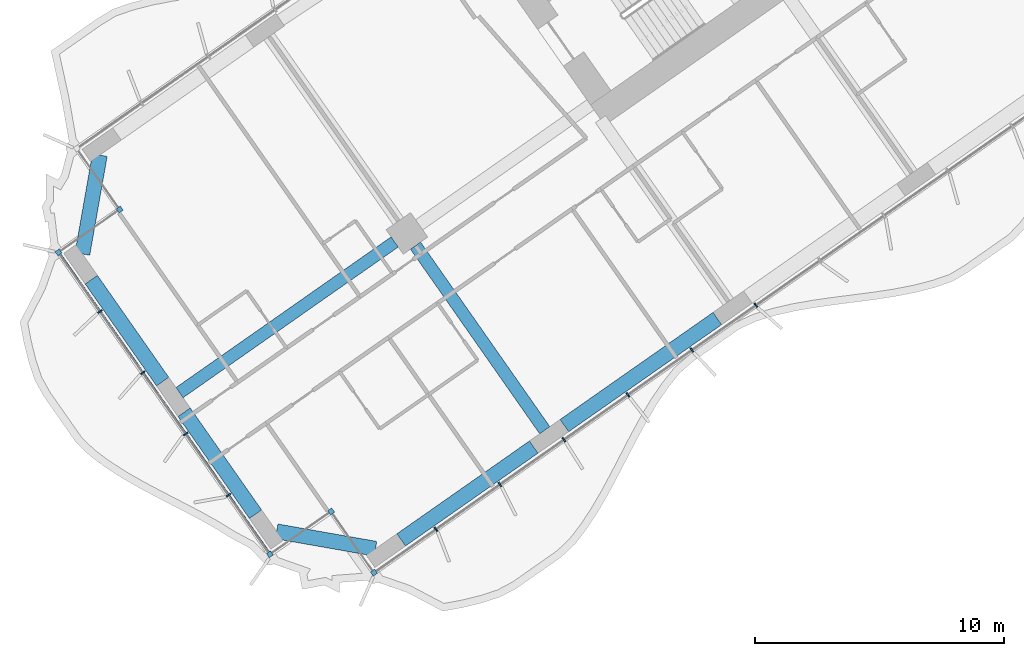
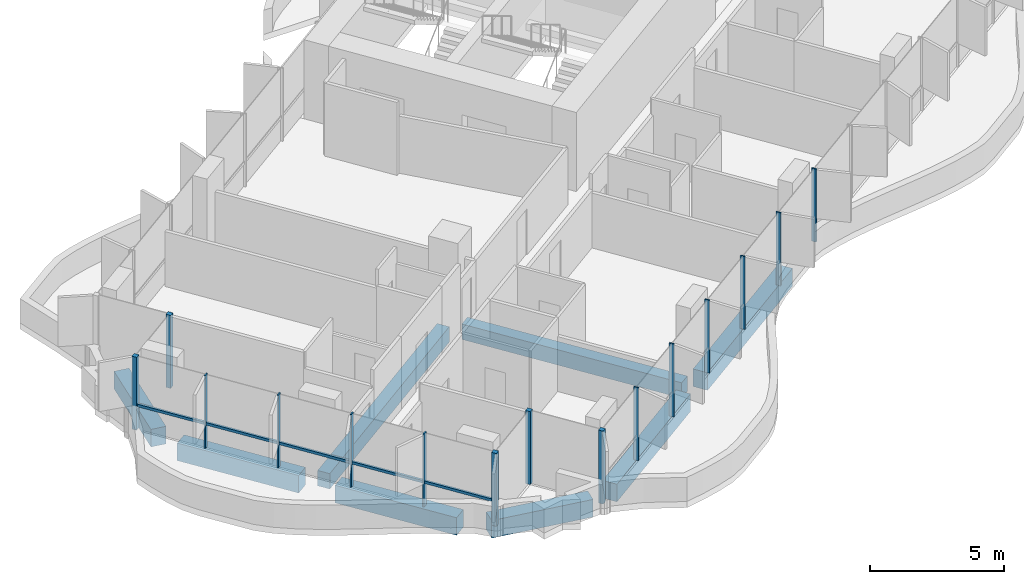
# One storey, part 2 of 24: 16 members, 8 beams, 1 element without a shape of its own.
"""IFC4 building model written with IfcOpenShell, lengths in metres."""

from ifc_helpers import new_model, si_unit, direction, frame, origin, origin_2d, place, context, subcontext, project, spatial, rectangle, extrude, material, material_profile, profile_set, type_object, element, aggregate, save


model = new_model("IFC4")

# Units and contexts
model_context = context("Model", 3, precision=1e-05, world=origin(), true_north=direction((0.0, 1.0)))
body_context = subcontext(model_context, "Body", "Model", "MODEL_VIEW")
ifc_project = project(units=[si_unit("LENGTHUNIT", "METRE"), si_unit("AREAUNIT", "SQUARE_METRE"), si_unit("VOLUMEUNIT", "CUBIC_METRE"), si_unit("PLANEANGLEUNIT", "RADIAN"), si_unit("MASSUNIT", "GRAM", prefix="KILO")], contexts=[model_context])

# Site, building, storey
site_placement = place(None, origin())
site = spatial("IfcSite", under=ifc_project, at=site_placement, CompositionType="ELEMENT")
building_placement = place(site_placement, origin())
building = spatial("IfcBuilding", under=site, at=building_placement, Name="Tel Ilan Convention Tower", CompositionType="ELEMENT")
storey_placement = place(building_placement, frame((0.0, 0.0, 65.300048828125)))
storey = spatial("IfcBuildingStorey", under=building, at=storey_placement, Name="L11", CompositionType="ELEMENT", Elevation=65.300048828125)

# Beams
ifc_material_1 = material(Name="Concrete C40/50", Category="concrete")
ifc_material_profile_1 = material_profile(ifc_material_1, rectangle(XDim=0.5, YDim=0.699951171875, at=origin_2d()), Name="RC 500x700")
ifc_profile_set_1 = profile_set([ifc_material_profile_1], Name="Concrete C40/50")
beam_type_1 = type_object("IfcBeamType", Name="Beam RC 500x700 Concrete C40/50", PredefinedType="BEAM", material=ifc_profile_set_1)
beam_1_placement = place(storey_placement, frame((-29.98095703125, -20.992919921875, -0.630126953125), z_axis=(-0.819151461915, -0.573577268067, 0.0), x_axis=(0.573577268067, -0.819151461915, 0.0)))
element("IfcBeam", 1, at=beam_1_placement, inside=storey, type_object=beam_type_1, Name="L11 beam W-W-M4-end", PredefinedType="BEAM", context=body_context, shape_type="SweptSolid", body=[
    extrude(rectangle(XDim=0.5, YDim=0.699951171875, at=origin_2d()), origin(), (0.0, 0.0, 1.0), 10.550048828125),
])
beam_2_placement = place(storey_placement, frame((-29.145263671875, -21.14013671875, -0.630126953125), z_axis=(0.573549245583, -0.819171082798, 0.0), x_axis=(0.819171082798, 0.573549245583, 0.0)))
element("IfcBeam", 2, at=beam_2_placement, inside=storey, type_object=beam_type_1, Name="L11 beam W-W-M4-W-F4", PredefinedType="BEAM", context=body_context, shape_type="SweptSolid", body=[
    extrude(rectangle(XDim=0.5, YDim=0.699951171875, at=origin_2d()), origin(), (0.0, 0.0, 1.0), 9.050048828125),
])
ifc_material_2 = material(Name="Concrete C40/50", Category="concrete")
ifc_material_profile_2 = material_profile(ifc_material_2, rectangle(XDim=0.60009765625, YDim=0.800048828125, at=origin_2d()), Name="RC 600x800")
ifc_profile_set_2 = profile_set([ifc_material_profile_2], Name="Concrete C40/50")
beam_type_2 = type_object("IfcBeamType", Name="Beam RC 600x800 Concrete C40/50", PredefinedType="BEAM", material=ifc_profile_set_2)
beam_3_placement = place(storey_placement, frame((-17.0244140625, -24.0673828125, -0.679931640625), z_axis=(-0.81915238829, -0.573575945067, 0.0), x_axis=(0.573575945067, -0.81915238829, 0.0)))
element("IfcBeam", 3, at=beam_3_placement, inside=storey, type_object=beam_type_2, Name="L11 beam W-W-F3-W-F4", PredefinedType="BEAM", context=body_context, shape_type="SweptSolid", body=[
    extrude(rectangle(XDim=0.60009765625, YDim=0.800048828125, at=origin_2d()), origin(), (0.0, 0.0, 1.0), 7.5),
])
beam_4_placement = place(storey_placement, frame((-24.396728515625, -29.2294921875, -0.679931640625), z_axis=(-0.819148977158, -0.573580816643, 0.0), x_axis=(0.573580816643, -0.819148977158, 0.0)))
element("IfcBeam", 4, at=beam_4_placement, inside=storey, type_object=beam_type_2, Name="L11 beam W-W-F4-W-FC", PredefinedType="BEAM", context=body_context, shape_type="SweptSolid", body=[
    extrude(rectangle(XDim=0.60009765625, YDim=0.800048828125, at=origin_2d()), origin(), (0.0, 0.0, 1.0), 6.5),
])
beam_5_placement = place(storey_placement, frame((-30.75341796875, -33.314208984375, -0.679931640625), z_axis=(-0.984815252405, 0.173605641124, 0.0), x_axis=(-0.173605641124, -0.984815252405, 0.0)))
element("IfcBeam", 5, at=beam_5_placement, inside=storey, type_object=beam_type_2, Name="L11 beam W-W-FC-W-E1", PredefinedType="BEAM", context=body_context, shape_type="SweptSolid", body=[
    extrude(rectangle(XDim=0.60009765625, YDim=0.800048828125, at=origin_2d()), origin(), (0.0, 0.0, 1.0), 4.030517578125),
])
for number, where, z_axis, x_axis, name in (
    (6, (-35.57080078125, -31.92626953125, -0.679931640625), (-0.573586866468, 0.819144740944, 0.0), (-0.819144740944, -0.573586866468, 0.0), "L11 beam W-W-E1-W-E2"),
    (7, (-39.298828125, -26.601806640625, -0.679931640625), (-0.573586866468, 0.819144740944, 0.0), (-0.819144740944, -0.573586866468, 0.0), "L11 beam W-W-E2-W-E3"),
):
    element("IfcBeam", number, at=place(storey_placement, frame(where, z_axis=z_axis, x_axis=x_axis)), inside=storey, type_object=beam_type_2, Name=name, PredefinedType="BEAM", context=body_context, shape_type="SweptSolid", body=[
        extrude(rectangle(XDim=0.60009765625, YDim=0.800048828125, at=origin_2d()), origin(), (0.0, 0.0, 1.0), 5.0),
    ])
beam_6_placement = place(storey_placement, frame((-42.523193359375, -21.473876953125, -0.679931640625), z_axis=(0.173605641124, 0.984815252405, 0.0), x_axis=(-0.984815252405, 0.173605641124, 0.0)))
element("IfcBeam", 8, at=beam_6_placement, inside=storey, type_object=beam_type_2, Name="L11 beam W-W-E3-W-BC", PredefinedType="BEAM", context=body_context, shape_type="SweptSolid", body=[
    extrude(rectangle(XDim=0.60009765625, YDim=0.800048828125, at=origin_2d()), origin(), (0.0, 0.0, 1.0), 4.030517578125),
])

# Curtain wall, members
ifc_material_3 = material(Name="Aluminium, bronze anodised", Category="aluminium")
curtain_wall_type = type_object("IfcCurtainWallType", Name="CW1 UNITISED CURTAIN WALL, HOTEL TINTED GLASS", PredefinedType="NOTDEFINED", material=ifc_material_3)
curtain_wall_placement = place(storey_placement, origin())
curtain_wall = element("IfcCurtainWall", 9, at=curtain_wall_placement, inside=storey, type_object=curtain_wall_type, Name="Curtain wall CW1-12.02", PredefinedType="NOTDEFINED")
ifc_material_4 = material(Name="Aluminium, bronze anodised", Category="aluminium")
ifc_material_profile_3 = material_profile(ifc_material_4, rectangle(XDim=0.199951171875, YDim=0.199951171875, at=origin_2d()), Name="CW CORNER MULLION 200x200")
ifc_profile_set_3 = profile_set([ifc_material_profile_3], Name="Aluminium, bronze anodised")
member_type_1 = type_object("IfcMemberType", Name="CW CORNER MULLION 200x200", PredefinedType="MULLION", material=ifc_profile_set_3)
member_1_placement = place(storey_placement, frame((-41.0244140625, -19.69189453125, 0.0), z_axis=(0.0, 0.0, 1.0), x_axis=(0.573576436351, -0.819152044289, 0.0)))
member_1 = element("IfcMember", 10, at=member_1_placement, type_object=member_type_1, Name="Corner mullion", PredefinedType="MULLION", context=body_context, shape_type="SweptSolid", body=[
    extrude(rectangle(XDim=0.199951171875, YDim=0.199951171875, at=origin_2d()), origin(), (0.0, 0.0, 1.0), 3.320068359375),
])
member_2_placement = place(storey_placement, frame((-43.48193359375, -21.41259765625, 0.0), z_axis=(0.0, 0.0, 1.0), x_axis=(-0.819152044289, -0.573576436351, 0.0)))
member_2 = element("IfcMember", 11, at=member_2_placement, type_object=member_type_1, Name="Corner mullion", PredefinedType="MULLION", context=body_context, shape_type="SweptSolid", body=[
    extrude(rectangle(XDim=0.199951171875, YDim=0.199951171875, at=origin_2d()), origin(), (0.0, 0.0, 1.0), 3.320068359375),
])
member_3_placement = place(storey_placement, frame((-34.992919921875, -33.5361328125, 0.0), z_axis=(0.0, 0.0, 1.0), x_axis=(0.573576436351, -0.819152044289, 0.0)))
member_3 = element("IfcMember", 12, at=member_3_placement, type_object=member_type_1, Name="Corner mullion", PredefinedType="MULLION", context=body_context, shape_type="SweptSolid", body=[
    extrude(rectangle(XDim=0.199951171875, YDim=0.199951171875, at=origin_2d()), origin(), (0.0, 0.0, 1.0), 3.320068359375),
])
member_4_placement = place(storey_placement, frame((-32.535400390625, -31.815185546875, 0.0), z_axis=(0.0, 0.0, 1.0), x_axis=(0.819152044289, 0.573576436351, 0.0)))
member_4 = element("IfcMember", 13, at=member_4_placement, type_object=member_type_1, Name="Corner mullion", PredefinedType="MULLION", context=body_context, shape_type="SweptSolid", body=[
    extrude(rectangle(XDim=0.199951171875, YDim=0.199951171875, at=origin_2d()), origin(), (0.0, 0.0, 1.0), 3.320068359375),
])
member_5_placement = place(storey_placement, frame((-30.814697265625, -34.272705078125, 0.0), z_axis=(0.0, 0.0, 1.0), x_axis=(0.573576436351, -0.819152044289, 0.0)))
member_5 = element("IfcMember", 14, at=member_5_placement, type_object=member_type_1, Name="Corner mullion", PredefinedType="MULLION", context=body_context, shape_type="SweptSolid", body=[
    extrude(rectangle(XDim=0.199951171875, YDim=0.199951171875, at=origin_2d()), origin(), (0.0, 0.0, 1.0), 3.320068359375),
])
ifc_material_5 = material(Name="Aluminium, bronze anodised", Category="aluminium")
ifc_material_profile_4 = material_profile(ifc_material_5, rectangle(XDim=0.06005859375, YDim=0.199951171875, at=origin_2d()), Name="CW MULLION 60x200")
ifc_profile_set_4 = profile_set([ifc_material_profile_4], Name="Aluminium, bronze anodised")
member_type_2 = type_object("IfcMemberType", Name="CW MULLION 60x200", PredefinedType="MULLION", material=ifc_profile_set_4)
member_6_placement = place(storey_placement, frame((-41.818359375, -23.7880859375, 0.0), z_axis=(0.0, 0.0, 1.0), x_axis=(0.573576436351, -0.819152044289, 0.0)))
member_6 = element("IfcMember", 15, at=member_6_placement, type_object=member_type_2, Name="Mullion", PredefinedType="MULLION", context=body_context, shape_type="SweptSolid", body=[
    extrude(rectangle(XDim=0.06005859375, YDim=0.199951171875, at=origin_2d()), origin(), (0.0, 0.0, 1.0), 3.320068359375),
])
member_7_placement = place(storey_placement, frame((-40.09765625, -26.24560546875, 0.0), z_axis=(0.0, 0.0, 1.0), x_axis=(0.573576436351, -0.819152044289, 0.0)))
member_7 = element("IfcMember", 16, at=member_7_placement, type_object=member_type_2, Name="Mullion", PredefinedType="MULLION", context=body_context, shape_type="SweptSolid", body=[
    extrude(rectangle(XDim=0.06005859375, YDim=0.199951171875, at=origin_2d()), origin(), (0.0, 0.0, 1.0), 3.320068359375),
])
member_8_placement = place(storey_placement, frame((-38.376953125, -28.703125, 0.0), z_axis=(0.0, 0.0, 1.0), x_axis=(0.573576436351, -0.819152044289, 0.0)))
member_8 = element("IfcMember", 17, at=member_8_placement, type_object=member_type_2, Name="Mullion", PredefinedType="MULLION", context=body_context, shape_type="SweptSolid", body=[
    extrude(rectangle(XDim=0.06005859375, YDim=0.199951171875, at=origin_2d()), origin(), (0.0, 0.0, 1.0), 3.320068359375),
])
member_9_placement = place(storey_placement, frame((-36.65625, -31.160400390625, 0.0), z_axis=(0.0, 0.0, 1.0), x_axis=(0.573576436351, -0.819152044289, 0.0)))
member_9 = element("IfcMember", 18, at=member_9_placement, type_object=member_type_2, Name="Mullion", PredefinedType="MULLION", context=body_context, shape_type="SweptSolid", body=[
    extrude(rectangle(XDim=0.06005859375, YDim=0.199951171875, at=origin_2d()), origin(), (0.0, 0.0, 1.0), 3.320068359375),
])
member_10_placement = place(storey_placement, frame((-28.32666015625, -32.530517578125, 0.0), z_axis=(0.0, 0.0, 1.0), x_axis=(0.819152044289, 0.573576436351, 0.0)))
member_10 = element("IfcMember", 19, at=member_10_placement, type_object=member_type_2, Name="Mullion", PredefinedType="MULLION", context=body_context, shape_type="SweptSolid", body=[
    extrude(rectangle(XDim=0.06005859375, YDim=0.199951171875, at=origin_2d()), origin(), (0.0, 0.0, 1.0), 3.320068359375),
])
member_11_placement = place(storey_placement, frame((-25.7568359375, -30.731201171875, 0.0), z_axis=(0.0, 0.0, 1.0), x_axis=(0.819152044289, 0.573576436351, 0.0)))
member_11 = element("IfcMember", 20, at=member_11_placement, type_object=member_type_2, Name="Mullion", PredefinedType="MULLION", context=body_context, shape_type="SweptSolid", body=[
    extrude(rectangle(XDim=0.06005859375, YDim=0.199951171875, at=origin_2d()), origin(), (0.0, 0.0, 1.0), 3.320068359375),
])
member_12_placement = place(storey_placement, frame((-23.186767578125, -28.931640625, 0.0), z_axis=(0.0, 0.0, 1.0), x_axis=(0.819152044289, 0.573576436351, 0.0)))
member_12 = element("IfcMember", 21, at=member_12_placement, type_object=member_type_2, Name="Mullion", PredefinedType="MULLION", context=body_context, shape_type="SweptSolid", body=[
    extrude(rectangle(XDim=0.06005859375, YDim=0.199951171875, at=origin_2d()), origin(), (0.0, 0.0, 1.0), 3.320068359375),
])
member_13_placement = place(storey_placement, frame((-20.616943359375, -27.132080078125, 0.0), z_axis=(0.0, 0.0, 1.0), x_axis=(0.819152044289, 0.573576436351, 0.0)))
member_13 = element("IfcMember", 22, at=member_13_placement, type_object=member_type_2, Name="Mullion", PredefinedType="MULLION", context=body_context, shape_type="SweptSolid", body=[
    extrude(rectangle(XDim=0.06005859375, YDim=0.199951171875, at=origin_2d()), origin(), (0.0, 0.0, 1.0), 3.320068359375),
])
member_14_placement = place(storey_placement, frame((-18.046875, -25.332763671875, 0.0), z_axis=(0.0, 0.0, 1.0), x_axis=(0.819152044289, 0.573576436351, 0.0)))
member_14 = element("IfcMember", 23, at=member_14_placement, type_object=member_type_2, Name="Mullion", PredefinedType="MULLION", context=body_context, shape_type="SweptSolid", body=[
    extrude(rectangle(XDim=0.06005859375, YDim=0.199951171875, at=origin_2d()), origin(), (0.0, 0.0, 1.0), 3.320068359375),
])
member_15_placement = place(storey_placement, frame((-15.47705078125, -23.533203125, 0.0), z_axis=(0.0, 0.0, 1.0), x_axis=(0.819152044289, 0.573576436351, 0.0)))
member_15 = element("IfcMember", 24, at=member_15_placement, type_object=member_type_2, Name="Mullion", PredefinedType="MULLION", context=body_context, shape_type="SweptSolid", body=[
    extrude(rectangle(XDim=0.06005859375, YDim=0.199951171875, at=origin_2d()), origin(), (0.0, 0.0, 1.0), 3.320068359375),
])
ifc_material_6 = material(Name="Aluminium, bronze anodised", Category="aluminium")
ifc_material_profile_5 = material_profile(ifc_material_6, rectangle(XDim=0.10009765625, YDim=0.1201171875, at=origin_2d()), Name="CW TRANSOM 100x120")
ifc_profile_set_5 = profile_set([ifc_material_profile_5], Name="Aluminium, bronze anodised")
member_type_3 = type_object("IfcMemberType", Name="CW TRANSOM 100x120", PredefinedType="USERDEFINED", material=ifc_profile_set_5)
member_16_placement = place(storey_placement, frame((-43.424560546875, -21.494384765625, 1.099853515625), z_axis=(0.573575688231, -0.819152568128, 0.0), x_axis=(0.819152568128, 0.573575688231, 0.0)))
member_16 = element("IfcMember", 25, at=member_16_placement, type_object=member_type_3, Name="Transom", ObjectType="TRANSOM", PredefinedType="USERDEFINED", context=body_context, shape_type="SweptSolid", body=[
    extrude(rectangle(XDim=0.10009765625, YDim=0.1201171875, at=origin_2d()), origin(), (0.0, 0.0, 1.0), 14.60009765625),
])
aggregate(curtain_wall, [member_1, member_2, member_6, member_7, member_8, member_9, member_3, member_16, member_4, member_5, member_10, member_11, member_12, member_13, member_14, member_15])

save(model, "model.ifc")
